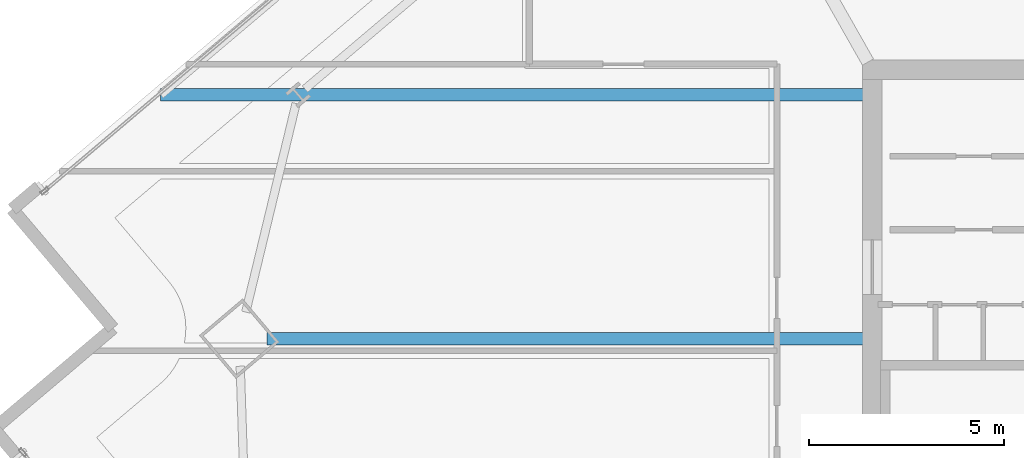
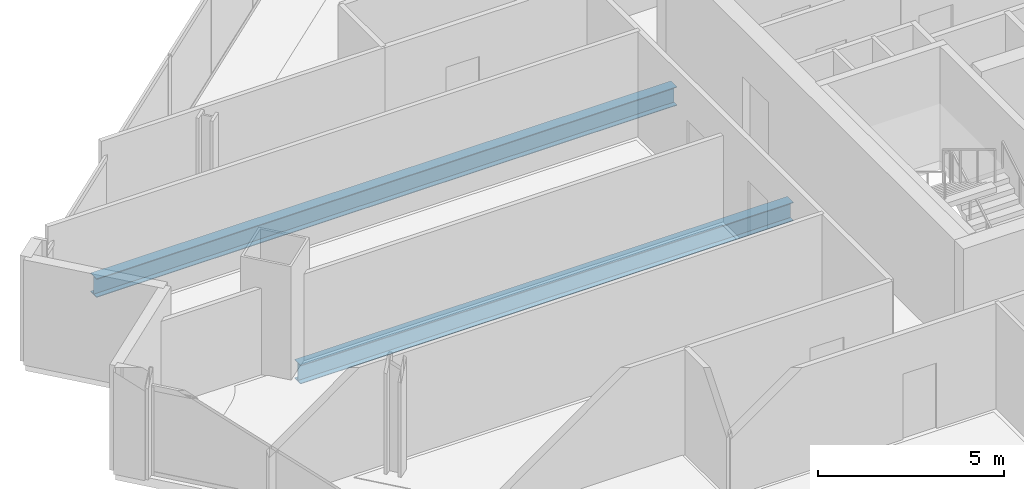
# One storey, part 15 of 34: 2 beams.
"""IFC4 building model written with IfcOpenShell, lengths in metres."""

import ifcopenshell
import ifcopenshell.guid

model = None  # the IFC model being written
_history = None  # IfcOwnerHistory: only IFC2X3 demands one
_inside = {}  # id of a spatial element -> (the spatial element, [elements in it])
_under = {}  # id of a project, library or spatial element -> (it, [spatial elements below it])
_declared = {}  # id of a project -> (the project, [libraries it declares])
_typed = {}  # id of a type object -> (the type object, [elements of that type])
_made_of = {}  # id of a material, layer set ... -> (it, [elements and type objects made of it])


def new_model(schema):
    """Start an empty IFC model of exactly this schema.

    Asked for "IFC4X3", IfcOpenShell would pick the latest addendum, in which some entities
    have other attributes; the version numbers below select the first issue.
    IFC2X3 requires an IfcOwnerHistory on every rooted entity: one is made here for all.
    """
    global model, _history
    if schema == "IFC4X3":
        model = ifcopenshell.file(schema_version=(4, 3, 0, 0))
    else:
        model = ifcopenshell.file(schema=schema)
    _inside.clear()
    _under.clear()
    _declared.clear()
    _typed.clear()
    _made_of.clear()
    _history = None
    if model.schema == "IFC2X3":
        org = make("IfcOrganization", Name="unknown")
        user = make(
            "IfcPersonAndOrganization",
            ThePerson=make("IfcPerson", FamilyName="unknown"),
            TheOrganization=org,
        )
        app = make(
            "IfcApplication",
            ApplicationDeveloper=org,
            Version="unknown",
            ApplicationFullName="unknown",
            ApplicationIdentifier="unknown",
        )
        _history = make(
            "IfcOwnerHistory",
            OwningUser=user,
            OwningApplication=app,
            ChangeAction="ADDED",
            CreationDate=0,
        )
    return model


def make(cls, **values):
    """One entity of the class cls with the attributes given. An attribute that is None is left unset."""
    return model.create_entity(
        cls, **{name: value for name, value in values.items() if value is not None}
    )


def rooted(cls, **values):
    """An entity with a GlobalId (a new one), such as an element, a storey or a relation."""
    return make(cls, GlobalId=ifcopenshell.guid.new(), OwnerHistory=_history, **values)


def si_unit(unit_type, name, prefix=None):
    """IfcSIUnit, for example si_unit("LENGTHUNIT", "METRE", prefix="MILLI")."""
    return make("IfcSIUnit", UnitType=unit_type, Prefix=prefix, Name=name)


def assignment(units):
    """IfcUnitAssignment: the units of a project."""
    return None if units is None else make("IfcUnitAssignment", Units=units)


def point(xyz):
    """IfcCartesianPoint."""
    return None if xyz is None else make("IfcCartesianPoint", Coordinates=xyz)


def direction(xyz):
    """IfcDirection."""
    return None if xyz is None else make("IfcDirection", DirectionRatios=xyz)


def frame(location, z_axis=None, x_axis=None):
    """IfcAxis2Placement3D, a coordinate frame: its origin and axes. An axis left out is left unset."""
    return make(
        "IfcAxis2Placement3D",
        Location=point(location),
        Axis=direction(z_axis),
        RefDirection=direction(x_axis),
    )


def frame_2d(location, x_axis=None):
    """IfcAxis2Placement2D, a coordinate frame in the plane: its origin and x axis."""
    return make(
        "IfcAxis2Placement2D", Location=point(location), RefDirection=direction(x_axis)
    )


def origin():
    """The frame at (0, 0, 0) with its axes left unset."""
    return frame((0.0, 0.0, 0.0))


def origin_2d():
    """The frame at (0, 0) in the plane with its x axis left unset."""
    return frame_2d((0.0, 0.0))


def place(relative_to, where):
    """IfcLocalPlacement: puts the frame where relative to a parent placement (None: the world)."""
    return make(
        "IfcLocalPlacement", PlacementRelTo=relative_to, RelativePlacement=where
    )


def context(
    kind, dimensions, precision=None, world=None, true_north=None, identifier=None
):
    """IfcGeometricRepresentationContext, for example the 3D "Model" context."""
    return make(
        "IfcGeometricRepresentationContext",
        ContextIdentifier=identifier,
        ContextType=kind,
        CoordinateSpaceDimension=dimensions,
        Precision=precision,
        WorldCoordinateSystem=world,
        TrueNorth=true_north,
    )


def subcontext(parent, identifier, kind, view, scale=None):
    """IfcGeometricRepresentationSubContext, for example "Body" below "Model"."""
    return make(
        "IfcGeometricRepresentationSubContext",
        ContextIdentifier=identifier,
        ContextType=kind,
        ParentContext=parent,
        TargetScale=scale,
        TargetView=view,
    )


def project(units=None, contexts=None):
    """IfcProject with its units and contexts."""
    return rooted(
        "IfcProject",
        Name="project",
        RepresentationContexts=contexts,
        UnitsInContext=assignment(units),
    )


def spatial(cls, under=None, at=None, **own):
    """A site, building, storey or space (cls), placed at a placement, below another one or the project."""
    s = rooted(cls, ObjectPlacement=at, **own)
    if under is not None:
        _under.setdefault(under.id(), (under, []))[1].append(s)
    return s


def profile(cls, at=None, kind="AREA", **sizes):
    """A parametric profile (cls). Its sizes go by their IFC names, for example OverallWidth=200.0."""
    return make(cls, ProfileType=kind, Position=at, **sizes)


def i_section(**sizes):
    """IfcIShapeProfileDef."""
    return profile("IfcIShapeProfileDef", **sizes)


def extrude(swept, where, along, depth):
    """IfcExtrudedAreaSolid: the profile swept, set in the frame where, extruded along a direction by depth."""
    return make(
        "IfcExtrudedAreaSolid",
        SweptArea=swept,
        Position=where,
        ExtrudedDirection=direction(along),
        Depth=depth,
    )


def shape(context_of_items, identifier, shape_type, items):
    """IfcShapeRepresentation: the items that make up one representation, for example the "Body"."""
    return make(
        "IfcShapeRepresentation",
        ContextOfItems=context_of_items,
        RepresentationIdentifier=identifier,
        RepresentationType=shape_type,
        Items=items,
    )


def material(Name=None, Category=None):
    """IfcMaterial."""
    return make("IfcMaterial", Name=Name, Category=Category)


def material_profile(
    of_material, cross_section, Name=None, Category=None, Priority=None
):
    """IfcMaterialProfile: a cross section and its material."""
    return make(
        "IfcMaterialProfile",
        Name=Name,
        Material=of_material,
        Profile=cross_section,
        Priority=Priority,
        Category=Category,
    )


def profile_set(profiles, Name=None, composite=None):
    """IfcMaterialProfileSet."""
    return make(
        "IfcMaterialProfileSet",
        Name=Name,
        MaterialProfiles=profiles,
        CompositeProfile=composite,
    )


def made_of(thing, what):
    """Note that an element or type object is made of a material, layer set ...; save() writes the relation."""
    if what is not None:
        _made_of.setdefault(what.id(), (what, []))[1].append(thing)
    return thing


def type_object(cls, material=None, **own):
    """A type object (cls), such as IfcWallType, which elements share."""
    return made_of(rooted(cls, **own), material)


def element(
    cls,
    number,
    at=None,
    inside=None,
    cuts=None,
    type_object=None,
    material=None,
    context=None,
    identifier="Body",
    shape_type=None,
    held_by="IfcProductDefinitionShape",
    body=None,
    shapes=None,
    **own,
):
    """One element of the class cls, such as IfcWall. Its Tag is "e" and its number.

    at: its placement. inside: the storey or other place that contains it. cuts: it is an
    opening in that element (IfcRelVoidsElement). A single representation is given by context,
    identifier, shape_type and body (its items); several are given by shapes. held_by: the class
    of the entity that holds the representations. save() writes the other relations.
    """
    e = rooted(cls, Tag="e%d" % number, ObjectPlacement=at, **own)
    if body is not None:
        shapes = [shape(context, identifier, shape_type, body)]
    if shapes is not None:
        e.Representation = make(held_by, Representations=shapes)
    if inside is not None:
        _inside.setdefault(inside.id(), (inside, []))[1].append(e)
    if cuts is not None:
        rooted(
            "IfcRelVoidsElement", RelatingBuildingElement=cuts, RelatedOpeningElement=e
        )
    if type_object is not None:
        _typed.setdefault(type_object.id(), (type_object, []))[1].append(e)
    return made_of(e, material)


def aggregate(whole, parts):
    """IfcRelAggregates: a whole, such as a stair, and the parts it consists of."""
    return rooted("IfcRelAggregates", RelatingObject=whole, RelatedObjects=parts)


def save(model, path):
    """Write the relations noted so far, then the file.

    IfcRelAggregates (storeys below a building ...), IfcRelContainedInSpatialStructure (elements
    in a storey), IfcRelDefinesByType, IfcRelAssociatesMaterial and IfcRelDeclares: one each for
    every whole, place, type object, material and project.
    """
    for whole, parts in _under.values():
        aggregate(whole, parts)
    for where, things in _inside.values():
        rooted(
            "IfcRelContainedInSpatialStructure",
            RelatedElements=things,
            RelatingStructure=where,
        )
    for kind, things in _typed.values():
        rooted("IfcRelDefinesByType", RelatedObjects=things, RelatingType=kind)
    for what, things in _made_of.values():
        rooted("IfcRelAssociatesMaterial", RelatedObjects=things, RelatingMaterial=what)
    for by, libraries in _declared.values():
        rooted("IfcRelDeclares", RelatingContext=by, RelatedDefinitions=libraries)
    model.write(path)


model = new_model("IFC4")

# Units and contexts
model_context = context("Model", 3, precision=1e-05, world=origin(), true_north=direction((0.0, 1.0)))
body_context = subcontext(model_context, "Body", "Model", "MODEL_VIEW")
ifc_project = project(units=[si_unit("LENGTHUNIT", "METRE"), si_unit("AREAUNIT", "SQUARE_METRE"), si_unit("VOLUMEUNIT", "CUBIC_METRE"), si_unit("PLANEANGLEUNIT", "RADIAN"), si_unit("MASSUNIT", "GRAM", prefix="KILO")], contexts=[model_context])

# Site, building, storey
site_placement = place(None, origin())
site = spatial("IfcSite", under=ifc_project, at=site_placement, CompositionType="ELEMENT")
building_placement = place(site_placement, origin())
building = spatial("IfcBuilding", under=site, at=building_placement, Name="Haldenkirk Collegiate Tower", CompositionType="ELEMENT")
storey_placement = place(building_placement, frame((0.0, 0.0, 163.199951171875)))
storey = spatial("IfcBuildingStorey", under=building, at=storey_placement, Name="L40", CompositionType="ELEMENT", Elevation=163.199951171875)

# Beams
ifc_material = material(Name="Steel ASTM A992 Grade 50", Category="steel")
ifc_material_profile = material_profile(ifc_material, i_section(OverallWidth=0.324951171875, OverallDepth=0.615966796875, WebThickness=0.013916015625, FlangeThickness=0.021484375, at=origin_2d()), Name="W24X117")
ifc_profile_set = profile_set([ifc_material_profile], Name="Steel ASTM A992 Grade 50")
beam_type = type_object("IfcBeamType", Name="BM-GIRDER-W24X117", PredefinedType="BEAM", material=ifc_profile_set)
beam_1_placement = place(storey_placement, frame((11.466064453125, 27.103759765625, -0.597900390625), z_axis=(1.0, 0.0, 0.0), x_axis=(0.0, 1.0, 0.0)))
element("IfcBeam", 1, at=beam_1_placement, inside=storey, type_object=beam_type, Name="L40 primary floor girder 04", PredefinedType="BEAM", context=body_context, shape_type="SweptSolid", body=[
    extrude(i_section(OverallWidth=0.324951171875, OverallDepth=0.615966796875, WebThickness=0.013916015625, FlangeThickness=0.021484375, at=origin_2d()), origin(), (0.0, 0.0, 1.0), 15.303955078125),
])
beam_2_placement = place(storey_placement, frame((8.7412109375, 33.360107421875, -0.597900390625), z_axis=(1.0, 0.0, 0.0), x_axis=(0.0, 1.0, 0.0)))
element("IfcBeam", 2, at=beam_2_placement, inside=storey, type_object=beam_type, Name="L40 primary floor girder 13", PredefinedType="BEAM", context=body_context, shape_type="SweptSolid", body=[
    extrude(i_section(OverallWidth=0.324951171875, OverallDepth=0.615966796875, WebThickness=0.013916015625, FlangeThickness=0.021484375, at=origin_2d()), origin(), (0.0, 0.0, 1.0), 18.02880859375),
])

save(model, "model.ifc")
